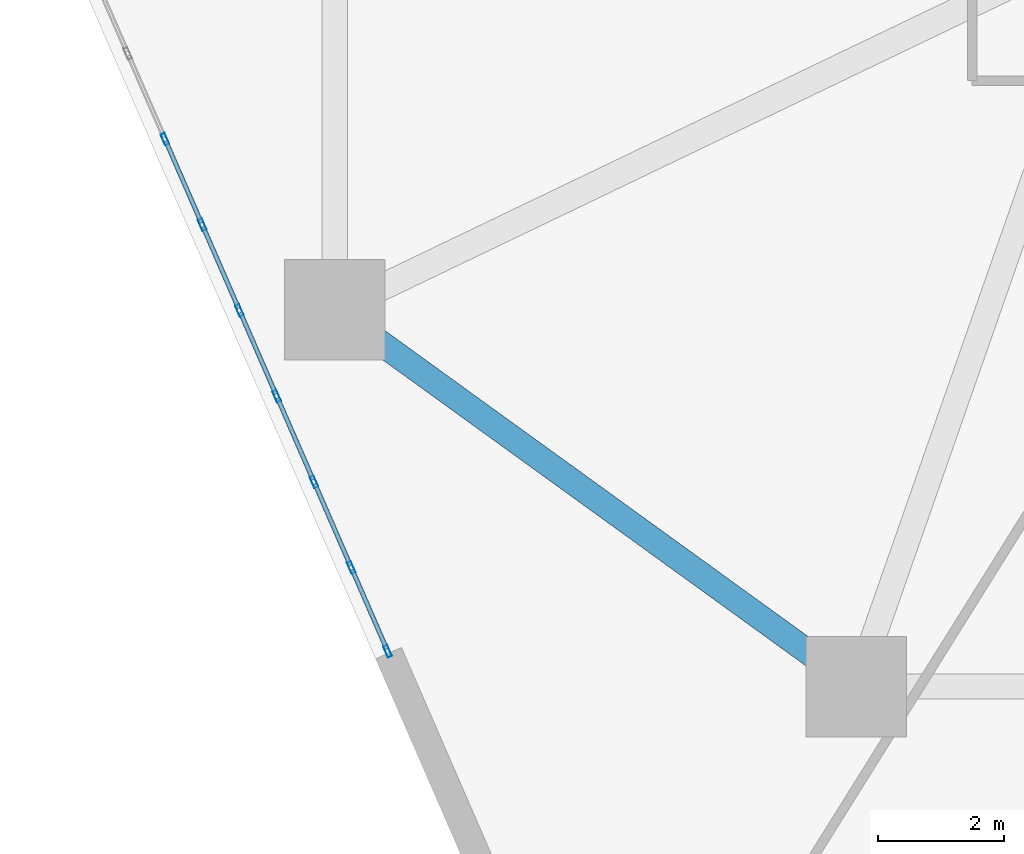
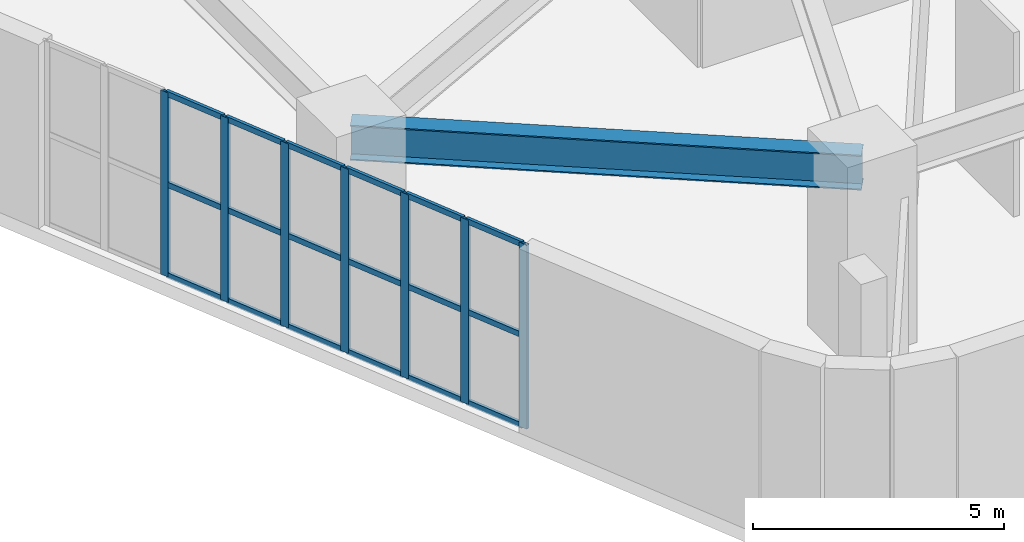
# One storey, part 2 of 17: 25 members, 1 beam, 1 element without a shape of its own.
"""IFC4 building model written with IfcOpenShell, lengths in metres."""

from ifc_helpers import new_model, si_unit, direction, frame, origin, origin_2d, place, context, subcontext, project, spatial, hollow_rectangle, i_section, extrude, material, layer, layer_set, material_profile, profile_set, type_object, element, aggregate, save


model = new_model("IFC4")

# Units and contexts
model_context = context("Model", 3, precision=1e-05, world=origin(), true_north=direction((0.0, 1.0)))
body_context = subcontext(model_context, "Body", "Model", "MODEL_VIEW")
ifc_project = project(units=[si_unit("LENGTHUNIT", "METRE"), si_unit("AREAUNIT", "SQUARE_METRE"), si_unit("VOLUMEUNIT", "CUBIC_METRE"), si_unit("PLANEANGLEUNIT", "RADIAN"), si_unit("MASSUNIT", "GRAM", prefix="KILO")], contexts=[model_context])

# Site, building, storey
site_placement = place(None, origin())
site = spatial("IfcSite", under=ifc_project, at=site_placement, CompositionType="ELEMENT")
building_placement = place(site_placement, origin())
building = spatial("IfcBuilding", under=site, at=building_placement, Name="Kilnhurst Terrace Hotel", CompositionType="ELEMENT")
storey_placement = place(building_placement, frame((0.0, 0.0, 18.60009765625)))
storey = spatial("IfcBuildingStorey", under=building, at=storey_placement, Name="L03", CompositionType="ELEMENT", Elevation=18.60009765625)

# Beam
ifc_material_1 = material(Name="Steel ASTM A992 Grade 50", Category="steel")
ifc_material_profile_1 = material_profile(ifc_material_1, i_section(OverallWidth=0.39990234375, OverallDepth=0.85546875, WebThickness=0.018310546875, FlangeThickness=0.029296875, at=origin_2d()), Name="W33X201")
ifc_profile_set_1 = profile_set([ifc_material_profile_1], Name="Steel ASTM A992 Grade 50")
beam_type = type_object("IfcBeamType", Name="BM-STL-W33X201", PredefinedType="BEAM", material=ifc_profile_set_1)
beam_placement = place(storey_placement, frame((-21.5, -13.5, 4.052001953125), z_axis=(0.810423314702, -0.585844732833, 0.0), x_axis=(0.585844732833, 0.810423314702, 0.0)))
element("IfcBeam", 1, at=beam_placement, inside=storey, type_object=beam_type, Name="L03 Podium Frame Beam 17", PredefinedType="BEAM", context=body_context, shape_type="SweptSolid", body=[
    extrude(i_section(OverallWidth=0.39990234375, OverallDepth=0.85546875, WebThickness=0.018310546875, FlangeThickness=0.029296875, at=origin_2d()), origin(), (0.0, 0.0, 1.0), 10.24169921875),
])

# Curtain wall, members
ifc_material_2 = material(Name="Anodized Aluminium Alloy 6063-T6 and Low-E Glass", Category="aluminium")
ifc_layer = layer(ifc_material_2, 0.219970703125, Name="Anodized Aluminium Alloy 6063-T6 and Low-E Glass")
ifc_layer_set = layer_set([ifc_layer], Name="Anodized Aluminium Alloy 6063-T6 and Low-E Glass")
curtain_wall_type = type_object("IfcCurtainWallType", Name="CW-POD-TERR", PredefinedType="NOTDEFINED", material=ifc_layer_set)
curtain_wall_placement = place(storey_placement, origin())
curtain_wall = element("IfcCurtainWall", 2, at=curtain_wall_placement, inside=storey, type_object=curtain_wall_type, Name="L03 Curtain Wall CW-L03-F6-1", PredefinedType="NOTDEFINED")
ifc_material_3 = material(Name="Extruded Aluminium Alloy 6063-T6", Category="aluminium")
ifc_material_profile_2 = material_profile(ifc_material_3, hollow_rectangle(XDim=0.070068359375, YDim=0.18994140625, WallThickness=0.00390625, at=origin_2d()), Name="CWM70X190")
ifc_profile_set_2 = profile_set([ifc_material_profile_2], Name="Extruded Aluminium Alloy 6063-T6")
member_type_1 = type_object("IfcMemberType", Name="MEM-CWM70X190", PredefinedType="MULLION", material=ifc_profile_set_2)
member_1_placement = place(storey_placement, frame((-24.204345703125, -10.782470703125, 0.0), z_axis=(0.0, 0.0, 1.0), x_axis=(0.917041735683, 0.398791242401, 0.0)))
member_1 = element("IfcMember", 3, at=member_1_placement, type_object=member_type_1, Name="CWT-2 mullion 3", PredefinedType="MULLION", context=body_context, shape_type="SweptSolid", body=[
    extrude(hollow_rectangle(XDim=0.070068359375, YDim=0.18994140625, WallThickness=0.00390625, at=origin_2d()), origin(), (0.0, 0.0, 1.0), 4.47998046875),
])
member_2_placement = place(storey_placement, frame((-23.611083984375, -12.146728515625, 0.0), z_axis=(0.0, 0.0, 1.0), x_axis=(0.917041735683, 0.398791242401, 0.0)))
member_2 = element("IfcMember", 4, at=member_2_placement, type_object=member_type_1, Name="CWT-2 mullion 4", PredefinedType="MULLION", context=body_context, shape_type="SweptSolid", body=[
    extrude(hollow_rectangle(XDim=0.070068359375, YDim=0.18994140625, WallThickness=0.00390625, at=origin_2d()), origin(), (0.0, 0.0, 1.0), 4.47998046875),
])
member_3_placement = place(storey_placement, frame((-23.017578125, -13.510986328125, 0.0), z_axis=(0.0, 0.0, 1.0), x_axis=(0.917041735683, 0.398791242401, 0.0)))
member_3 = element("IfcMember", 5, at=member_3_placement, type_object=member_type_1, Name="CWT-2 mullion 5", PredefinedType="MULLION", context=body_context, shape_type="SweptSolid", body=[
    extrude(hollow_rectangle(XDim=0.070068359375, YDim=0.18994140625, WallThickness=0.00390625, at=origin_2d()), origin(), (0.0, 0.0, 1.0), 4.47998046875),
])
member_4_placement = place(storey_placement, frame((-22.42431640625, -14.875244140625, 0.0), z_axis=(0.0, 0.0, 1.0), x_axis=(0.917041735683, 0.398791242401, 0.0)))
member_4 = element("IfcMember", 6, at=member_4_placement, type_object=member_type_1, Name="CWT-2 mullion 6", PredefinedType="MULLION", context=body_context, shape_type="SweptSolid", body=[
    extrude(hollow_rectangle(XDim=0.070068359375, YDim=0.18994140625, WallThickness=0.00390625, at=origin_2d()), origin(), (0.0, 0.0, 1.0), 4.47998046875),
])
member_5_placement = place(storey_placement, frame((-21.8310546875, -16.23974609375, 0.0), z_axis=(0.0, 0.0, 1.0), x_axis=(0.917041735683, 0.398791242401, 0.0)))
member_5 = element("IfcMember", 7, at=member_5_placement, type_object=member_type_1, Name="CWT-2 mullion 7", PredefinedType="MULLION", context=body_context, shape_type="SweptSolid", body=[
    extrude(hollow_rectangle(XDim=0.070068359375, YDim=0.18994140625, WallThickness=0.00390625, at=origin_2d()), origin(), (0.0, 0.0, 1.0), 4.47998046875),
])
member_6_placement = place(storey_placement, frame((-21.23779296875, -17.60400390625, 0.0), z_axis=(0.0, 0.0, 1.0), x_axis=(0.917041735683, 0.398791242401, 0.0)))
member_6 = element("IfcMember", 8, at=member_6_placement, type_object=member_type_1, Name="CWT-2 mullion 8", PredefinedType="MULLION", context=body_context, shape_type="SweptSolid", body=[
    extrude(hollow_rectangle(XDim=0.070068359375, YDim=0.18994140625, WallThickness=0.00390625, at=origin_2d()), origin(), (0.0, 0.0, 1.0), 4.47998046875),
])
member_7_placement = place(storey_placement, frame((-20.658447265625, -18.936279296875, 0.0), z_axis=(0.0, 0.0, 1.0), x_axis=(0.917041735683, 0.398791242401, 0.0)))
member_7 = element("IfcMember", 9, at=member_7_placement, type_object=member_type_1, Name="CWT-2 mullion 9", PredefinedType="MULLION", context=body_context, shape_type="SweptSolid", body=[
    extrude(hollow_rectangle(XDim=0.070068359375, YDim=0.18994140625, WallThickness=0.00390625, at=origin_2d()), origin(), (0.0, 0.0, 1.0), 4.47998046875),
])
ifc_material_profile_3 = material_profile(ifc_material_3, hollow_rectangle(XDim=0.070068359375, YDim=0.135009765625, WallThickness=0.00390625, at=origin_2d()), Name="CWT70X135")
ifc_profile_set_3 = profile_set([ifc_material_profile_3], Name="Extruded Aluminium Alloy 6063-T6")
member_type_2 = type_object("IfcMemberType", Name="MEM-CWT70X135", PredefinedType="USERDEFINED", material=ifc_profile_set_3)
member_8_placement = place(storey_placement, frame((-24.1904296875, -10.814453125, 0.034912109375), z_axis=(0.398839455167, -0.917020768032, 0.0), x_axis=(0.917020768032, 0.398839455167, 0.0)))
member_8 = element("IfcMember", 10, at=member_8_placement, type_object=member_type_2, Name="CWT-2 transom 3.1", ObjectType="TRANSOM", PredefinedType="USERDEFINED", context=body_context, shape_type="SweptSolid", body=[
    extrude(hollow_rectangle(XDim=0.070068359375, YDim=0.135009765625, WallThickness=0.00390625, at=origin_2d()), origin(), (0.0, 0.0, 1.0), 1.417724609375),
])
member_9_placement = place(storey_placement, frame((-24.1904296875, -10.814453125, 2.239990234375), z_axis=(0.398839455167, -0.917020768032, 0.0), x_axis=(0.917020768032, 0.398839455167, 0.0)))
member_9 = element("IfcMember", 11, at=member_9_placement, type_object=member_type_2, Name="CWT-2 transom 3.2", ObjectType="TRANSOM", PredefinedType="USERDEFINED", context=body_context, shape_type="SweptSolid", body=[
    extrude(hollow_rectangle(XDim=0.070068359375, YDim=0.135009765625, WallThickness=0.00390625, at=origin_2d()), origin(), (0.0, 0.0, 1.0), 1.417724609375),
])
member_10_placement = place(storey_placement, frame((-24.1904296875, -10.814453125, 4.44482421875), z_axis=(0.398839455167, -0.917020768032, 0.0), x_axis=(0.917020768032, 0.398839455167, 0.0)))
member_10 = element("IfcMember", 12, at=member_10_placement, type_object=member_type_2, Name="CWT-2 transom 3.3", ObjectType="TRANSOM", PredefinedType="USERDEFINED", context=body_context, shape_type="SweptSolid", body=[
    extrude(hollow_rectangle(XDim=0.070068359375, YDim=0.135009765625, WallThickness=0.00390625, at=origin_2d()), origin(), (0.0, 0.0, 1.0), 1.417724609375),
])
member_11_placement = place(storey_placement, frame((-23.596923828125, -12.1787109375, 0.034912109375), z_axis=(0.398631662066, -0.917111115405, 0.0), x_axis=(0.917111115405, 0.398631662066, 0.0)))
member_11 = element("IfcMember", 13, at=member_11_placement, type_object=member_type_2, Name="CWT-2 transom 4.1", ObjectType="TRANSOM", PredefinedType="USERDEFINED", context=body_context, shape_type="SweptSolid", body=[
    extrude(hollow_rectangle(XDim=0.070068359375, YDim=0.135009765625, WallThickness=0.00390625, at=origin_2d()), origin(), (0.0, 0.0, 1.0), 1.417724609375),
])
member_12_placement = place(storey_placement, frame((-23.596923828125, -12.1787109375, 2.239990234375), z_axis=(0.398631662066, -0.917111115405, 0.0), x_axis=(0.917111115405, 0.398631662066, 0.0)))
member_12 = element("IfcMember", 14, at=member_12_placement, type_object=member_type_2, Name="CWT-2 transom 4.2", ObjectType="TRANSOM", PredefinedType="USERDEFINED", context=body_context, shape_type="SweptSolid", body=[
    extrude(hollow_rectangle(XDim=0.070068359375, YDim=0.135009765625, WallThickness=0.00390625, at=origin_2d()), origin(), (0.0, 0.0, 1.0), 1.417724609375),
])
member_13_placement = place(storey_placement, frame((-23.596923828125, -12.1787109375, 4.44482421875), z_axis=(0.398631662066, -0.917111115405, 0.0), x_axis=(0.917111115405, 0.398631662066, 0.0)))
member_13 = element("IfcMember", 15, at=member_13_placement, type_object=member_type_2, Name="CWT-2 transom 4.3", ObjectType="TRANSOM", PredefinedType="USERDEFINED", context=body_context, shape_type="SweptSolid", body=[
    extrude(hollow_rectangle(XDim=0.070068359375, YDim=0.135009765625, WallThickness=0.00390625, at=origin_2d()), origin(), (0.0, 0.0, 1.0), 1.417724609375),
])
member_14_placement = place(storey_placement, frame((-23.003662109375, -13.543212890625, 0.034912109375), z_axis=(0.398694623796, -0.91708374588, 0.0), x_axis=(0.91708374588, 0.398694623796, 0.0)))
member_14 = element("IfcMember", 16, at=member_14_placement, type_object=member_type_2, Name="CWT-2 transom 5.1", ObjectType="TRANSOM", PredefinedType="USERDEFINED", context=body_context, shape_type="SweptSolid", body=[
    extrude(hollow_rectangle(XDim=0.070068359375, YDim=0.135009765625, WallThickness=0.00390625, at=origin_2d()), origin(), (0.0, 0.0, 1.0), 1.41748046875),
])
member_15_placement = place(storey_placement, frame((-23.003662109375, -13.543212890625, 2.239990234375), z_axis=(0.398694623796, -0.91708374588, 0.0), x_axis=(0.91708374588, 0.398694623796, 0.0)))
member_15 = element("IfcMember", 17, at=member_15_placement, type_object=member_type_2, Name="CWT-2 transom 5.2", ObjectType="TRANSOM", PredefinedType="USERDEFINED", context=body_context, shape_type="SweptSolid", body=[
    extrude(hollow_rectangle(XDim=0.070068359375, YDim=0.135009765625, WallThickness=0.00390625, at=origin_2d()), origin(), (0.0, 0.0, 1.0), 1.41748046875),
])
member_16_placement = place(storey_placement, frame((-23.003662109375, -13.543212890625, 4.44482421875), z_axis=(0.398694623796, -0.91708374588, 0.0), x_axis=(0.91708374588, 0.398694623796, 0.0)))
member_16 = element("IfcMember", 18, at=member_16_placement, type_object=member_type_2, Name="CWT-2 transom 5.3", ObjectType="TRANSOM", PredefinedType="USERDEFINED", context=body_context, shape_type="SweptSolid", body=[
    extrude(hollow_rectangle(XDim=0.070068359375, YDim=0.135009765625, WallThickness=0.00390625, at=origin_2d()), origin(), (0.0, 0.0, 1.0), 1.41748046875),
])
member_17_placement = place(storey_placement, frame((-22.410400390625, -14.907470703125, 0.034912109375), z_axis=(0.398839455167, -0.917020768032, 0.0), x_axis=(0.917020768032, 0.398839455167, 0.0)))
member_17 = element("IfcMember", 19, at=member_17_placement, type_object=member_type_2, Name="CWT-2 transom 6.1", ObjectType="TRANSOM", PredefinedType="USERDEFINED", context=body_context, shape_type="SweptSolid", body=[
    extrude(hollow_rectangle(XDim=0.070068359375, YDim=0.135009765625, WallThickness=0.00390625, at=origin_2d()), origin(), (0.0, 0.0, 1.0), 1.417724609375),
])
member_18_placement = place(storey_placement, frame((-22.410400390625, -14.907470703125, 2.239990234375), z_axis=(0.398839455167, -0.917020768032, 0.0), x_axis=(0.917020768032, 0.398839455167, 0.0)))
member_18 = element("IfcMember", 20, at=member_18_placement, type_object=member_type_2, Name="CWT-2 transom 6.2", ObjectType="TRANSOM", PredefinedType="USERDEFINED", context=body_context, shape_type="SweptSolid", body=[
    extrude(hollow_rectangle(XDim=0.070068359375, YDim=0.135009765625, WallThickness=0.00390625, at=origin_2d()), origin(), (0.0, 0.0, 1.0), 1.417724609375),
])
member_19_placement = place(storey_placement, frame((-22.410400390625, -14.907470703125, 4.44482421875), z_axis=(0.398839455167, -0.917020768032, 0.0), x_axis=(0.917020768032, 0.398839455167, 0.0)))
member_19 = element("IfcMember", 21, at=member_19_placement, type_object=member_type_2, Name="CWT-2 transom 6.3", ObjectType="TRANSOM", PredefinedType="USERDEFINED", context=body_context, shape_type="SweptSolid", body=[
    extrude(hollow_rectangle(XDim=0.070068359375, YDim=0.135009765625, WallThickness=0.00390625, at=origin_2d()), origin(), (0.0, 0.0, 1.0), 1.417724609375),
])
member_20_placement = place(storey_placement, frame((-21.817138671875, -16.271728515625, 0.034912109375), z_axis=(0.398839455167, -0.917020768032, 0.0), x_axis=(0.917020768032, 0.398839455167, 0.0)))
member_20 = element("IfcMember", 22, at=member_20_placement, type_object=member_type_2, Name="CWT-2 transom 7.1", ObjectType="TRANSOM", PredefinedType="USERDEFINED", context=body_context, shape_type="SweptSolid", body=[
    extrude(hollow_rectangle(XDim=0.070068359375, YDim=0.135009765625, WallThickness=0.00390625, at=origin_2d()), origin(), (0.0, 0.0, 1.0), 1.417724609375),
])
member_21_placement = place(storey_placement, frame((-21.817138671875, -16.271728515625, 2.239990234375), z_axis=(0.398839455167, -0.917020768032, 0.0), x_axis=(0.917020768032, 0.398839455167, 0.0)))
member_21 = element("IfcMember", 23, at=member_21_placement, type_object=member_type_2, Name="CWT-2 transom 7.2", ObjectType="TRANSOM", PredefinedType="USERDEFINED", context=body_context, shape_type="SweptSolid", body=[
    extrude(hollow_rectangle(XDim=0.070068359375, YDim=0.135009765625, WallThickness=0.00390625, at=origin_2d()), origin(), (0.0, 0.0, 1.0), 1.417724609375),
])
member_22_placement = place(storey_placement, frame((-21.817138671875, -16.271728515625, 4.44482421875), z_axis=(0.398839455167, -0.917020768032, 0.0), x_axis=(0.917020768032, 0.398839455167, 0.0)))
member_22 = element("IfcMember", 24, at=member_22_placement, type_object=member_type_2, Name="CWT-2 transom 7.3", ObjectType="TRANSOM", PredefinedType="USERDEFINED", context=body_context, shape_type="SweptSolid", body=[
    extrude(hollow_rectangle(XDim=0.070068359375, YDim=0.135009765625, WallThickness=0.00390625, at=origin_2d()), origin(), (0.0, 0.0, 1.0), 1.417724609375),
])
member_23_placement = place(storey_placement, frame((-21.223876953125, -17.635986328125, 0.034912109375), z_axis=(0.398835858445, -0.917022332344, 0.0), x_axis=(0.917022332344, 0.398835858445, 0.0)))
member_23 = element("IfcMember", 25, at=member_23_placement, type_object=member_type_2, Name="CWT-2 transom 8.1", ObjectType="TRANSOM", PredefinedType="USERDEFINED", context=body_context, shape_type="SweptSolid", body=[
    extrude(hollow_rectangle(XDim=0.070068359375, YDim=0.135009765625, WallThickness=0.00390625, at=origin_2d()), origin(), (0.0, 0.0, 1.0), 1.3828125),
])
member_24_placement = place(storey_placement, frame((-21.223876953125, -17.635986328125, 2.239990234375), z_axis=(0.398835858445, -0.917022332344, 0.0), x_axis=(0.917022332344, 0.398835858445, 0.0)))
member_24 = element("IfcMember", 26, at=member_24_placement, type_object=member_type_2, Name="CWT-2 transom 8.2", ObjectType="TRANSOM", PredefinedType="USERDEFINED", context=body_context, shape_type="SweptSolid", body=[
    extrude(hollow_rectangle(XDim=0.070068359375, YDim=0.135009765625, WallThickness=0.00390625, at=origin_2d()), origin(), (0.0, 0.0, 1.0), 1.3828125),
])
member_25_placement = place(storey_placement, frame((-21.223876953125, -17.635986328125, 4.44482421875), z_axis=(0.398835858445, -0.917022332344, 0.0), x_axis=(0.917022332344, 0.398835858445, 0.0)))
member_25 = element("IfcMember", 27, at=member_25_placement, type_object=member_type_2, Name="CWT-2 transom 8.3", ObjectType="TRANSOM", PredefinedType="USERDEFINED", context=body_context, shape_type="SweptSolid", body=[
    extrude(hollow_rectangle(XDim=0.070068359375, YDim=0.135009765625, WallThickness=0.00390625, at=origin_2d()), origin(), (0.0, 0.0, 1.0), 1.3828125),
])
aggregate(curtain_wall, [member_1, member_2, member_3, member_4, member_5, member_6, member_7, member_8, member_9, member_10, member_11, member_12, member_13, member_14, member_15, member_16, member_17, member_18, member_19, member_20, member_21, member_22, member_23, member_24, member_25])

save(model, "model.ifc")
